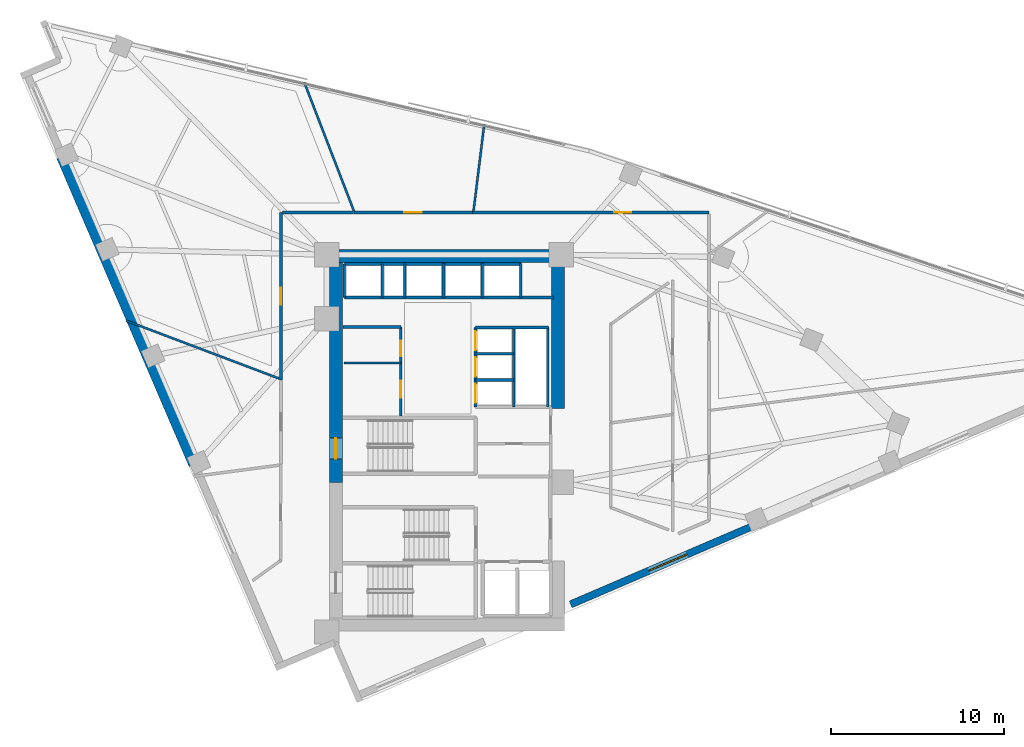
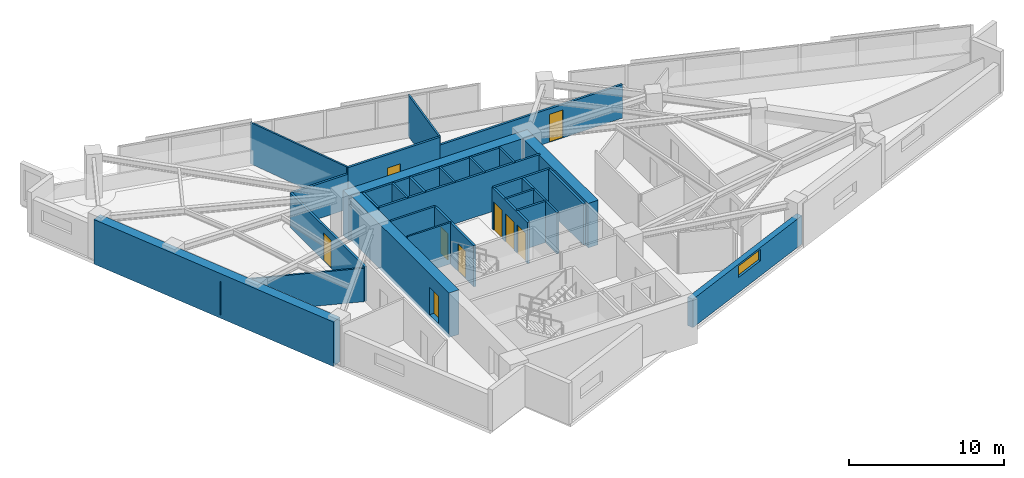
# One storey, part 10 of 14: 30 walls, 9 doors, 1 window, 10 openings.
"""IFC4 building model written with IfcOpenShell, lengths in metres."""

from ifc_helpers import new_model, si_unit, direction, frame, frame_2d, origin, place, context, subcontext, project, spatial, rectangle, extrude, material, layer, layer_set, type_object, element, fill, save


model = new_model("IFC4")

# Units and contexts
model_context = context("Model", 3, precision=1e-05, world=origin(), true_north=direction((0.0, 1.0)))
body_context = subcontext(model_context, "Body", "Model", "MODEL_VIEW")
ifc_project = project(units=[si_unit("LENGTHUNIT", "METRE"), si_unit("AREAUNIT", "SQUARE_METRE"), si_unit("VOLUMEUNIT", "CUBIC_METRE"), si_unit("PLANEANGLEUNIT", "RADIAN"), si_unit("MASSUNIT", "GRAM", prefix="KILO")], contexts=[model_context])

# Site, building, storey
site_placement = place(None, origin())
site = spatial("IfcSite", under=ifc_project, at=site_placement, CompositionType="ELEMENT")
building_placement = place(site_placement, origin())
building = spatial("IfcBuilding", under=site, at=building_placement, Name="Narakoshi Arena Tower", CompositionType="ELEMENT")
storey_placement = place(building_placement, frame((0.0, 0.0, 189.659912109375)))
storey = spatial("IfcBuildingStorey", under=building, at=storey_placement, Name="L51", CompositionType="ELEMENT", Elevation=189.659912109375)

# Wall, opening, door
ifc_material_1 = material(Name="Concrete C50/60", Category="concrete")
ifc_layer_1 = layer(ifc_material_1, 0.75)
ifc_layer_set_1 = layer_set([ifc_layer_1], Name="Concrete C50/60")
wall_type_1 = type_object("IfcWallType", Name="WL-CORE-750", PredefinedType="SHEAR", material=ifc_layer_set_1)
wall_1_placement = place(storey_placement, frame((72.52490234375, 43.35009765625, -0.260009765625), z_axis=(0.0, 0.0, 1.0), x_axis=(0.0, 1.0, 0.0)))
wall_1 = element("IfcWall", 1, at=wall_1_placement, inside=storey, type_object=wall_type_1, Name="L51 Main Core Shear Wall CW-MN-W", PredefinedType="SHEAR", context=body_context, shape_type="SweptSolid", body=[
    extrude(rectangle(XDim=12.699951171875, YDim=0.75, at=frame_2d((6.35009765625, 0.0))), origin(), (0.0, 0.0, 1.0), 3.52001953125),
])
opening_1_placement = place(wall_1_placement, frame((1.35009765625, 0.0, 0.260009765625)))
opening_1 = element("IfcOpeningElement", 2, at=opening_1_placement, cuts=wall_1, Name="Opening D-03", PredefinedType="OPENING", context=body_context, shape_type="SweptSolid", body=[
    extrude(rectangle(XDim=1.199951171875, YDim=2.199951171875, at=frame_2d((0.60009765625, 1.10009765625))), frame((0.0, 0.385009765625, 0.0), z_axis=(0.0, -1.0, 0.0), x_axis=(1.0, 0.0, 0.0)), (0.0, 0.0, 1.0), 0.77001953125),
])
ifc_material_2 = material(Name="Painted galvanized steel", Category="steel")
door_type_1 = type_object("IfcDoorType", Name="DR-STR-1200", OperationType="NOTDEFINED", PredefinedType="USERDEFINED", material=ifc_material_2)
door_1_placement = place(opening_1_placement, frame((1.199951171875, 0.0, 0.0), z_axis=(0.0, 0.0, 1.0), x_axis=(-1.0, 0.0, 0.0)))
door_1 = element("IfcDoor", 3, at=door_1_placement, inside=storey, type_object=door_type_1, Name="DR-L51-006", ObjectType="EXITDOOR", OperationType="SINGLE_SWING_LEFT", OverallHeight=2.199951171875, OverallWidth=1.199951171875, PredefinedType="USERDEFINED", context=body_context, shape_type="SweptSolid", body=[
    extrude(rectangle(XDim=1.199951171875, YDim=2.199951171875, at=frame_2d((0.60009765625, 1.10009765625))), frame((0.0, 0.02490234375, 0.0), z_axis=(0.0, -1.0, 0.0), x_axis=(1.0, 0.0, 0.0)), (0.0, 0.0, 1.0), 0.050048828125),
])
fill(opening_1, door_1)

# Walls
wall_2_placement = place(storey_placement, frame((72.0, 56.425048828125, -0.260009765625), z_axis=(0.0, 0.0, 1.0), x_axis=(1.0, 0.0, 0.0)))
element("IfcWall", 4, at=wall_2_placement, inside=storey, type_object=wall_type_1, Name="L51 Main Core Shear Wall CW-MN-N", PredefinedType="SHEAR", context=body_context, shape_type="SweptSolid", body=[
    extrude(rectangle(XDim=13.75, YDim=0.75, at=frame_2d((6.875, 0.0))), origin(), (0.0, 0.0, 1.0), 3.52001953125),
])
wall_3_placement = place(storey_placement, frame((85.375, 47.60009765625, -0.260009765625), z_axis=(0.0, 0.0, 1.0), x_axis=(0.0, 1.0, 0.0)))
element("IfcWall", 5, at=wall_3_placement, inside=storey, type_object=wall_type_1, Name="L51 Main Core Shear Wall CW-MN-E", PredefinedType="SHEAR", context=body_context, shape_type="SweptSolid", body=[
    extrude(rectangle(XDim=8.449951171875, YDim=0.75, at=frame_2d((4.22509765625, 0.0))), origin(), (0.0, 0.0, 1.0), 3.52001953125),
])

# Wall, opening, door
ifc_material_3 = material(Name="Gypsum plasterboard fire-rated partition")
ifc_layer_2 = layer(ifc_material_3, 0.1650390625)
ifc_layer_set_2 = layer_set([ifc_layer_2], Name="Gypsum plasterboard fire-rated partition")
wall_type_2 = type_object("IfcWallType", Name="WL-CORR-165", PredefinedType="PARTITIONING", material=ifc_layer_set_2)
wall_4_placement = place(storey_placement, frame((94.09619140625, 58.93701171875, 0.0), z_axis=(0.0, 0.0, 1.0), x_axis=(-1.0, 0.0, 0.0)))
wall_4 = element("IfcWall", 6, at=wall_4_placement, inside=storey, type_object=wall_type_2, Name="L51 Corridor Partition 06-1", PredefinedType="PARTITIONING", context=body_context, shape_type="SweptSolid", body=[
    extrude(rectangle(XDim=13.658203125, YDim=0.1650390625, at=frame_2d((6.8291015625, 0.0))), origin(), (0.0, 0.0, 1.0), 2.64501953125),
])
opening_2_placement = place(wall_4_placement, frame((4.490478515625, 0.0, 0.0)))
opening_2 = element("IfcOpeningElement", 7, at=opening_2_placement, cuts=wall_4, Name="Opening D-06", PredefinedType="OPENING", context=body_context, shape_type="SweptSolid", body=[
    extrude(rectangle(XDim=1.0, YDim=2.199951171875, at=frame_2d((0.5, 1.10009765625))), frame((0.0, 0.092529296875, 0.0), z_axis=(0.0, -1.0, 0.0), x_axis=(1.0, 0.0, 0.0)), (0.0, 0.0, 1.0), 0.18505859375),
])
ifc_material_4 = material(Name="Stained oak solid-core timber", Category="wood")
door_type_2 = type_object("IfcDoorType", Name="DR-OFF-1000", OperationType="NOTDEFINED", PredefinedType="DOOR", material=ifc_material_4)
door_2_placement = place(opening_2_placement, frame((1.0, 0.0, 0.0), z_axis=(0.0, 0.0, 1.0), x_axis=(-1.0, 0.0, 0.0)))
door_2 = element("IfcDoor", 8, at=door_2_placement, inside=storey, type_object=door_type_2, Name="DR-L51-019", OperationType="SINGLE_SWING_RIGHT", OverallHeight=2.199951171875, OverallWidth=1.0, PredefinedType="DOOR", context=body_context, shape_type="SweptSolid", body=[
    extrude(rectangle(XDim=1.0, YDim=2.199951171875, at=frame_2d((0.5, 1.10009765625))), frame((0.0, 0.02490234375, 0.0), z_axis=(0.0, -1.0, 0.0), x_axis=(1.0, 0.0, 0.0)), (0.0, 0.0, 1.0), 0.050048828125),
])
fill(opening_2, door_2)

wall_5_placement = place(storey_placement, frame((80.413818359375, 58.93701171875, 0.0), z_axis=(0.0, 0.0, 1.0), x_axis=(-1.0, 0.0, 0.0)))
wall_5 = element("IfcWall", 9, at=wall_5_placement, inside=storey, type_object=wall_type_2, Name="L51 Corridor Partition 07-1", PredefinedType="PARTITIONING", context=body_context, shape_type="SweptSolid", body=[
    extrude(rectangle(XDim=6.841064453125, YDim=0.1650390625, at=frame_2d((3.42041015625, 0.0))), origin(), (0.0, 0.0, 1.0), 3.260009765625),
])
opening_3_placement = place(wall_5_placement, frame((2.92041015625, 0.0, 0.0)))
opening_3 = element("IfcOpeningElement", 10, at=opening_3_placement, cuts=wall_5, Name="Opening D-06", PredefinedType="OPENING", context=body_context, shape_type="SweptSolid", body=[
    extrude(rectangle(XDim=1.0, YDim=2.199951171875, at=frame_2d((0.5, 1.10009765625))), frame((0.0, 0.092529296875, 0.0), z_axis=(0.0, -1.0, 0.0), x_axis=(1.0, 0.0, 0.0)), (0.0, 0.0, 1.0), 0.18505859375),
])
door_3_placement = place(opening_3_placement, frame((1.0, 0.0, 0.0), z_axis=(0.0, 0.0, 1.0), x_axis=(-1.0, 0.0, 0.0)))
door_3 = element("IfcDoor", 11, at=door_3_placement, inside=storey, type_object=door_type_2, Name="DR-L51-020", OperationType="SINGLE_SWING_LEFT", OverallHeight=2.199951171875, OverallWidth=1.0, PredefinedType="DOOR", context=body_context, shape_type="SweptSolid", body=[
    extrude(rectangle(XDim=1.0, YDim=2.199951171875, at=frame_2d((0.5, 1.10009765625))), frame((0.0, 0.02490234375, 0.0), z_axis=(0.0, -1.0, 0.0), x_axis=(1.0, 0.0, 0.0)), (0.0, 0.0, 1.0), 0.050048828125),
])
fill(opening_3, door_3)

wall_6_placement = place(storey_placement, frame((69.353759765625, 58.93701171875, 0.0), z_axis=(0.0, 0.0, 1.0), x_axis=(0.0, -1.0, 0.0)))
wall_6 = element("IfcWall", 12, at=wall_6_placement, inside=storey, type_object=wall_type_2, Name="L51 Corridor Partition 08-1", PredefinedType="PARTITIONING", context=body_context, shape_type="SweptSolid", body=[
    extrude(rectangle(XDim=9.669677734375, YDim=0.1650390625, at=frame_2d((4.8349609375, 0.0))), origin(), (0.0, 0.0, 1.0), 2.7451171875),
])
opening_4_placement = place(wall_6_placement, frame((4.334716796875, 0.0, 0.0)))
opening_4 = element("IfcOpeningElement", 13, at=opening_4_placement, cuts=wall_6, Name="Opening D-06", PredefinedType="OPENING", context=body_context, shape_type="SweptSolid", body=[
    extrude(rectangle(XDim=1.0, YDim=2.199951171875, at=frame_2d((0.5, 1.10009765625))), frame((0.0, 0.092529296875, 0.0), z_axis=(0.0, -1.0, 0.0), x_axis=(1.0, 0.0, 0.0)), (0.0, 0.0, 1.0), 0.18505859375),
])
door_4_placement = place(opening_4_placement, frame((1.0, 0.0, 0.0), z_axis=(0.0, 0.0, 1.0), x_axis=(-1.0, 0.0, 0.0)))
door_4 = element("IfcDoor", 14, at=door_4_placement, inside=storey, type_object=door_type_2, Name="DR-L51-021", OperationType="SINGLE_SWING_RIGHT", OverallHeight=2.199951171875, OverallWidth=1.0, PredefinedType="DOOR", context=body_context, shape_type="SweptSolid", body=[
    extrude(rectangle(XDim=1.0, YDim=2.199951171875, at=frame_2d((0.5, 1.10009765625))), frame((0.0, 0.02490234375, 0.0), z_axis=(0.0, -1.0, 0.0), x_axis=(1.0, 0.0, 0.0)), (0.0, 0.0, 1.0), 0.050048828125),
])
fill(opening_4, door_4)

# Walls
wall_7_placement = place(storey_placement, frame((73.547119140625, 58.93701171875, 0.0), z_axis=(0.0, 0.0, 1.0), x_axis=(-1.0, 0.0, 0.0)))
element("IfcWall", 15, at=wall_7_placement, inside=storey, type_object=wall_type_2, Name="L51 Corridor Partition 08-2", PredefinedType="PARTITIONING", context=body_context, shape_type="SweptSolid", body=[
    extrude(rectangle(XDim=4.098876953125, YDim=0.1650390625, at=frame_2d((2.04931640625, 0.0))), origin(), (0.0, 0.0, 1.0), 2.7451171875),
])
ifc_material_5 = material(Name="Concrete C60/75", Category="concrete")
ifc_layer_3 = layer(ifc_material_5, 0.699951171875)
ifc_layer_set_3 = layer_set([ifc_layer_3], Name="Concrete C60/75")
wall_type_3 = type_object("IfcWallType", Name="WL-LEG-700", PredefinedType="SHEAR", material=ifc_layer_set_3)
wall_8_placement = place(storey_placement, frame((56.7275390625, 62.171875, -0.260009765625), z_axis=(0.0, 0.0, 1.0), x_axis=(0.394736752992, -0.918794261974, 0.0)))
element("IfcWall", 16, at=wall_8_placement, inside=storey, type_object=wall_type_3, Name="L51 Architectural Concrete Structural Wall LEGB-2", PredefinedType="SHEAR", context=body_context, shape_type="SweptSolid", body=[
    extrude(rectangle(XDim=19.3525390625, YDim=0.699951171875, at=frame_2d((9.67626953125, 0.0))), origin(), (0.0, 0.0, 1.0), 3.52001953125),
])
ifc_layer_4 = layer(ifc_material_3, 0.125)
ifc_layer_set_4 = layer_set([ifc_layer_4], Name="Gypsum plasterboard fire-rated partition")
wall_type_4 = type_object("IfcWallType", Name="WL-PART-125", PredefinedType="PARTITIONING", material=ifc_layer_set_4)
wall_9_placement = place(storey_placement, frame((73.0, 50.25, 0.0), z_axis=(0.0, 0.0, 1.0), x_axis=(1.0, 0.0, 0.0)))
element("IfcWall", 17, at=wall_9_placement, inside=storey, type_object=wall_type_4, Name="L51 Core Wall RCL-LR-D2", PredefinedType="PARTITIONING", context=body_context, shape_type="SweptSolid", body=[
    extrude(rectangle(XDim=3.280029296875, YDim=0.125, at=frame_2d((1.64013671875, 0.0))), origin(), (0.0, 0.0, 1.0), 3.260009765625),
])
wall_10_placement = place(storey_placement, frame((80.48583984375, 59.031494140625, 0.0), z_axis=(0.0, 0.0, 1.0), x_axis=(0.122622148953, 0.992453428926, 0.0)))
element("IfcWall", 18, at=wall_10_placement, inside=storey, type_object=wall_type_4, Name="L51 Inter-Room Partition 06-07", PredefinedType="PARTITIONING", context=body_context, shape_type="SweptSolid", body=[
    extrude(rectangle(XDim=5.063232421875, YDim=0.125, at=frame_2d((2.53173828125, 0.0))), origin(), (0.0, 0.0, 1.0), 3.260009765625),
])
wall_11_placement = place(storey_placement, frame((73.57275390625, 59.025634765625, 0.0), z_axis=(0.0, 0.0, 1.0), x_axis=(-0.359988342614, 0.932956801348, 0.0)))
element("IfcWall", 19, at=wall_11_placement, inside=storey, type_object=wall_type_4, Name="L51 Inter-Room Partition 07-08", PredefinedType="PARTITIONING", context=body_context, shape_type="SweptSolid", body=[
    extrude(rectangle(XDim=7.98974609375, YDim=0.125, at=frame_2d((3.994873046875, 0.0))), origin(), (0.0, 0.0, 1.0), 3.260009765625),
])
wall_12_placement = place(storey_placement, frame((69.25927734375, 49.341552734375, 0.0), z_axis=(0.0, 0.0, 1.0), x_axis=(-0.935370851694, 0.353668446149, 0.0)))
element("IfcWall", 20, at=wall_12_placement, inside=storey, type_object=wall_type_4, Name="L51 Inter-Room Partition 08-09", PredefinedType="PARTITIONING", context=body_context, shape_type="SweptSolid", body=[
    extrude(rectangle(XDim=9.4462890625, YDim=0.125, at=frame_2d((4.72314453125, 0.0))), origin(), (0.0, 0.0, 1.0), 2.64501953125),
])

# Wall, opening, window
ifc_material_6 = material(Name="Precast concrete C45/55", Category="concrete")
ifc_layer_5 = layer(ifc_material_6, 0.419921875)
ifc_layer_set_5 = layer_set([ifc_layer_5], Name="Precast concrete C45/55")
wall_type_5 = type_object("IfcWallType", Name="WL-POD-420", PredefinedType="SOLIDWALL", material=ifc_layer_set_5)
wall_13_placement = place(storey_placement, frame((86.10009765625, 36.296142578125, 0.0), z_axis=(0.0, 0.0, 1.0), x_axis=(0.918792412723, 0.394741057306, 0.0)))
wall_13 = element("IfcWall", 21, at=wall_13_placement, inside=storey, type_object=wall_type_5, Name="L51 Architectural Concrete Facade Wall LEGA-2", PredefinedType="SOLIDWALL", context=body_context, shape_type="SweptSolid", body=[
    extrude(rectangle(XDim=11.79443359375, YDim=0.419921875, at=frame_2d((5.897216796875, 0.0))), origin(), (0.0, 0.0, 1.0), 2.2451171875),
])
opening_5_placement = place(wall_13_placement, frame((4.910888671875, 0.0, 1.199951171875)))
opening_5 = element("IfcOpeningElement", 22, at=opening_5_placement, cuts=wall_13, Name="Opening WN-01", PredefinedType="OPENING", context=body_context, shape_type="SweptSolid", body=[
    extrude(rectangle(XDim=2.39990234375, YDim=0.89990234375, at=frame_2d((1.199951171875, 0.449951171875))), frame((0.0, 0.219970703125, 0.0), z_axis=(0.0, -1.0, 0.0), x_axis=(1.0, 0.0, 0.0)), (0.0, 0.0, 1.0), 0.43994140625),
])
ifc_material_7 = material(Name="Bronze-tinted low-E laminated glass", Category="glass")
window_type = type_object("IfcWindowType", Name="WIN-SLT-24x09", PartitioningType="SINGLE_PANEL", PredefinedType="WINDOW", material=ifc_material_7)
window_placement = place(opening_5_placement, origin())
window = element("IfcWindow", 23, at=window_placement, inside=storey, type_object=window_type, Name="L51 LEGA2 Horizontal Slot Window 1", OverallHeight=0.89990234375, OverallWidth=2.39990234375, PartitioningType="SINGLE_PANEL", PredefinedType="WINDOW", context=body_context, shape_type="SweptSolid", body=[
    extrude(rectangle(XDim=2.39990234375, YDim=0.89990234375, at=frame_2d((1.199951171875, 0.449951171875))), frame((0.0, 0.030029296875, 0.0), z_axis=(0.0, -1.0, 0.0), x_axis=(1.0, 0.0, 0.0)), (0.0, 0.0, 1.0), 0.06005859375),
])
fill(opening_5, window)

# Walls
ifc_material_8 = material(Name="Concrete C40/50", Category="concrete")
ifc_layer_6 = layer(ifc_material_8, 0.280029296875)
ifc_layer_set_6 = layer_set([ifc_layer_6], Name="Concrete C40/50")
wall_type_6 = type_object("IfcWallType", Name="WL-RISER-280", PredefinedType="PLUMBINGWALL", material=ifc_layer_set_6)
for number, where, z_axis, x_axis, name in (
    (24, (80.60009765625, 49.260009765625, 0.0), (0.0, 0.0, 1.0), (1.0, 0.0, 0.0), "L51 Core Wall MR-D1"),
    (25, (80.60009765625, 50.780029296875, 0.0), (0.0, 0.0, 1.0), (1.0, 0.0, 0.0), "L51 Core Wall MR-D2"),
):
    element("IfcWall", number, at=place(storey_placement, frame(where, z_axis=z_axis, x_axis=x_axis)), inside=storey, type_object=wall_type_6, Name=name, PredefinedType="PLUMBINGWALL", context=body_context, shape_type="SweptSolid", body=[
        extrude(rectangle(XDim=2.199951171875, YDim=0.14990234375, at=frame_2d((1.10009765625, 0.0))), origin(), (0.0, 0.0, 1.0), 3.260009765625),
    ])
wall_14_placement = place(storey_placement, frame((82.800048828125, 47.699951171875, 0.0), z_axis=(0.0, 0.0, 1.0), x_axis=(0.0, 1.0, 0.0)))
element("IfcWall", 26, at=wall_14_placement, inside=storey, type_object=wall_type_6, Name="L51 Core Wall MR-E", PredefinedType="PLUMBINGWALL", context=body_context, shape_type="SweptSolid", body=[
    extrude(rectangle(XDim=4.60009765625, YDim=0.14990234375, at=frame_2d((2.300048828125, 0.0))), origin(), (0.0, 0.0, 1.0), 3.260009765625),
])
for number, where, z_axis, x_axis, name in (
    (27, (73.02001953125, 54.02001953125, 0.0), (0.0, 0.0, 1.0), (0.0, 1.0, 0.0), "L51 Core Wall OBS-W"),
    (28, (75.219970703125, 54.02001953125, 0.0), (0.0, 0.0, 1.0), (0.0, 1.0, 0.0), "L51 Core Wall OBS-M"),
):
    element("IfcWall", number, at=place(storey_placement, frame(where, z_axis=z_axis, x_axis=x_axis)), inside=storey, type_object=wall_type_6, Name=name, PredefinedType="PLUMBINGWALL", context=body_context, shape_type="SweptSolid", body=[
        extrude(rectangle(XDim=1.93994140625, YDim=0.14990234375, at=frame_2d((0.969970703125, 0.0))), origin(), (0.0, 0.0, 1.0), 3.260009765625),
    ])
for number, where, z_axis, x_axis, name in (
    (29, (78.75, 54.02001953125, 0.0), (0.0, 0.0, 1.0), (0.0, 1.0, 0.0), "L51 Core Wall HR-D1"),
    (30, (81.0, 54.02001953125, 0.0), (0.0, 0.0, 1.0), (0.0, 1.0, 0.0), "L51 Core Wall HR-D2"),
):
    element("IfcWall", number, at=place(storey_placement, frame(where, z_axis=z_axis, x_axis=x_axis)), inside=storey, type_object=wall_type_6, Name=name, PredefinedType="PLUMBINGWALL", context=body_context, shape_type="SweptSolid", body=[
        extrude(rectangle(XDim=1.9599609375, YDim=0.14990234375, at=frame_2d((0.97998046875, 0.0))), origin(), (0.0, 0.0, 1.0), 3.260009765625),
    ])

# Wall, openings, doors
ifc_layer_7 = layer(ifc_material_1, 0.35009765625)
ifc_layer_set_7 = layer_set([ifc_layer_7], Name="Concrete C50/60")
wall_type_7 = type_object("IfcWallType", Name="WL-SHAFT-350", PredefinedType="SOLIDWALL", material=ifc_layer_set_7)
wall_15_placement = place(storey_placement, frame((76.280029296875, 47.179931640625, 0.0), z_axis=(0.0, 0.0, 1.0), x_axis=(0.0, 1.0, 0.0)))
wall_15 = element("IfcWall", 31, at=wall_15_placement, inside=storey, type_object=wall_type_7, Name="L51 Core Wall LR-E", PredefinedType="SOLIDWALL", context=body_context, shape_type="SweptSolid", body=[
    extrude(rectangle(XDim=5.14013671875, YDim=0.159912109375, at=frame_2d((2.570068359375, 0.0))), origin(), (0.0, 0.0, 1.0), 3.260009765625),
])
opening_6_placement = place(wall_15_placement, frame((1.050048828125, 0.0, 0.0)))
opening_6 = element("IfcOpeningElement", 32, at=opening_6_placement, cuts=wall_15, Name="Opening D-06", PredefinedType="OPENING", context=body_context, shape_type="SweptSolid", body=[
    extrude(rectangle(XDim=1.0, YDim=2.199951171875, at=frame_2d((0.5, 1.10009765625))), frame((0.0, 0.08984375, 0.0), z_axis=(0.0, -1.0, 0.0), x_axis=(1.0, 0.0, 0.0)), (0.0, 0.0, 1.0), 0.179931640625),
])
opening_7_placement = place(wall_15_placement, frame((3.449951171875, 0.0, 0.0)))
opening_7 = element("IfcOpeningElement", 33, at=opening_7_placement, cuts=wall_15, Name="Opening D-08", PredefinedType="OPENING", context=body_context, shape_type="SweptSolid", body=[
    extrude(rectangle(XDim=0.89990234375, YDim=2.10009765625, at=frame_2d((0.449951171875, 1.050048828125))), frame((0.0, 0.08984375, 0.0), z_axis=(0.0, -1.0, 0.0), x_axis=(1.0, 0.0, 0.0)), (0.0, 0.0, 1.0), 0.179931640625),
])
door_5_placement = place(opening_6_placement, frame((1.0, 0.0, 0.0), z_axis=(0.0, 0.0, 1.0), x_axis=(-1.0, 0.0, 0.0)))
door_5 = element("IfcDoor", 34, at=door_5_placement, inside=storey, type_object=door_type_2, Name="DR-L51-009", OperationType="SINGLE_SWING_RIGHT", OverallHeight=2.199951171875, OverallWidth=1.0, PredefinedType="DOOR", context=body_context, shape_type="SweptSolid", body=[
    extrude(rectangle(XDim=1.0, YDim=2.199951171875, at=frame_2d((0.5, 1.10009765625))), frame((0.0, 0.02490234375, 0.0), z_axis=(0.0, -1.0, 0.0), x_axis=(1.0, 0.0, 0.0)), (0.0, 0.0, 1.0), 0.050048828125),
])
fill(opening_6, door_5)
ifc_material_9 = material(Name="Moisture-resistant laminate timber", Category="wood")
door_type_3 = type_object("IfcDoorType", Name="DR-WC-900", OperationType="NOTDEFINED", PredefinedType="DOOR", material=ifc_material_9)
door_6_placement = place(opening_7_placement, frame((0.89990234375, 0.0, 0.0), z_axis=(0.0, 0.0, 1.0), x_axis=(-1.0, 0.0, 0.0)))
door_6 = element("IfcDoor", 35, at=door_6_placement, inside=storey, type_object=door_type_3, Name="DR-L51-010", OperationType="SINGLE_SWING_LEFT", OverallHeight=2.10009765625, OverallWidth=0.89990234375, PredefinedType="DOOR", context=body_context, shape_type="SweptSolid", body=[
    extrude(rectangle(XDim=0.89990234375, YDim=2.10009765625, at=frame_2d((0.449951171875, 1.050048828125))), frame((0.0, 0.02490234375, 0.0), z_axis=(0.0, -1.0, 0.0), x_axis=(1.0, 0.0, 0.0)), (0.0, 0.0, 1.0), 0.050048828125),
])
fill(opening_7, door_6)

# Wall
wall_16_placement = place(storey_placement, frame((72.949951171875, 52.320068359375, 0.0), z_axis=(0.0, 0.0, 1.0), x_axis=(1.0, 0.0, 0.0)))
element("IfcWall", 36, at=wall_16_placement, inside=storey, type_object=wall_type_7, Name="L51 Core Wall LR-N", PredefinedType="SOLIDWALL", context=body_context, shape_type="SweptSolid", body=[
    extrude(rectangle(XDim=3.330078125, YDim=0.14990234375, at=frame_2d((1.6650390625, 0.0))), origin(), (0.0, 0.0, 1.0), 3.260009765625),
])

# Wall, openings, doors
wall_17_placement = place(storey_placement, frame((80.60009765625, 47.699951171875, 0.0), z_axis=(0.0, 0.0, 1.0), x_axis=(0.0, 1.0, 0.0)))
wall_17 = element("IfcWall", 37, at=wall_17_placement, inside=storey, type_object=wall_type_7, Name="L51 Core Wall MR-W", PredefinedType="SOLIDWALL", context=body_context, shape_type="SweptSolid", body=[
    extrude(rectangle(XDim=4.60009765625, YDim=0.159912109375, at=frame_2d((2.300048828125, 0.0))), origin(), (0.0, 0.0, 1.0), 3.260009765625),
])
opening_8_placement = place(wall_17_placement, frame((0.239990234375, 0.0, 0.0)))
opening_8 = element("IfcOpeningElement", 38, at=opening_8_placement, cuts=wall_17, Name="Opening LD-01", PredefinedType="OPENING", context=body_context, shape_type="SweptSolid", body=[
    extrude(rectangle(XDim=1.10009765625, YDim=2.25, at=frame_2d((0.550048828125, 1.125))), frame((0.0, 0.08984375, 0.0), z_axis=(0.0, -1.0, 0.0), x_axis=(1.0, 0.0, 0.0)), (0.0, 0.0, 1.0), 0.179931640625),
])
opening_9_placement = place(wall_17_placement, frame((1.760009765625, 0.0, 0.0)))
opening_9 = element("IfcOpeningElement", 39, at=opening_9_placement, cuts=wall_17, Name="Opening LD-01", PredefinedType="OPENING", context=body_context, shape_type="SweptSolid", body=[
    extrude(rectangle(XDim=1.10009765625, YDim=2.25, at=frame_2d((0.550048828125, 1.125))), frame((0.0, 0.08984375, 0.0), z_axis=(0.0, -1.0, 0.0), x_axis=(1.0, 0.0, 0.0)), (0.0, 0.0, 1.0), 0.179931640625),
])
opening_10_placement = place(wall_17_placement, frame((3.280029296875, 0.0, 0.0)))
opening_10 = element("IfcOpeningElement", 40, at=opening_10_placement, cuts=wall_17, Name="Opening LD-01", PredefinedType="OPENING", context=body_context, shape_type="SweptSolid", body=[
    extrude(rectangle(XDim=1.10009765625, YDim=2.25, at=frame_2d((0.550048828125, 1.125))), frame((0.0, 0.08984375, 0.0), z_axis=(0.0, -1.0, 0.0), x_axis=(1.0, 0.0, 0.0)), (0.0, 0.0, 1.0), 0.179931640625),
])
ifc_material_10 = material(Name="Brushed bronze stainless steel", Category="steel")
door_type_4 = type_object("IfcDoorType", Name="DR-LFT-1100", OperationType="DOUBLE_DOOR_SLIDING", PredefinedType="DOOR", material=ifc_material_10)
door_7_placement = place(opening_8_placement, frame((1.10009765625, 0.0, 0.0), z_axis=(0.0, 0.0, 1.0), x_axis=(-1.0, 0.0, 0.0)))
door_7 = element("IfcDoor", 41, at=door_7_placement, inside=storey, type_object=door_type_4, Name="DR-L51-011", OperationType="DOUBLE_DOOR_SLIDING", OverallHeight=2.25, OverallWidth=1.10009765625, PredefinedType="DOOR", context=body_context, shape_type="SweptSolid", body=[
    extrude(rectangle(XDim=1.10009765625, YDim=2.25, at=frame_2d((0.550048828125, 1.125))), frame((0.0, 0.02490234375, 0.0), z_axis=(0.0, -1.0, 0.0), x_axis=(1.0, 0.0, 0.0)), (0.0, 0.0, 1.0), 0.050048828125),
])
fill(opening_8, door_7)
door_8_placement = place(opening_9_placement, frame((1.10009765625, 0.0, 0.0), z_axis=(0.0, 0.0, 1.0), x_axis=(-1.0, 0.0, 0.0)))
door_8 = element("IfcDoor", 42, at=door_8_placement, inside=storey, type_object=door_type_4, Name="DR-L51-012", OperationType="DOUBLE_DOOR_SLIDING", OverallHeight=2.25, OverallWidth=1.10009765625, PredefinedType="DOOR", context=body_context, shape_type="SweptSolid", body=[
    extrude(rectangle(XDim=1.10009765625, YDim=2.25, at=frame_2d((0.550048828125, 1.125))), frame((0.0, 0.02490234375, 0.0), z_axis=(0.0, -1.0, 0.0), x_axis=(1.0, 0.0, 0.0)), (0.0, 0.0, 1.0), 0.050048828125),
])
fill(opening_9, door_8)
door_9_placement = place(opening_10_placement, frame((1.10009765625, 0.0, 0.0), z_axis=(0.0, 0.0, 1.0), x_axis=(-1.0, 0.0, 0.0)))
door_9 = element("IfcDoor", 43, at=door_9_placement, inside=storey, type_object=door_type_4, Name="DR-L51-013", OperationType="DOUBLE_DOOR_SLIDING", OverallHeight=2.25, OverallWidth=1.10009765625, PredefinedType="DOOR", context=body_context, shape_type="SweptSolid", body=[
    extrude(rectangle(XDim=1.10009765625, YDim=2.25, at=frame_2d((0.550048828125, 1.125))), frame((0.0, 0.02490234375, 0.0), z_axis=(0.0, -1.0, 0.0), x_axis=(1.0, 0.0, 0.0)), (0.0, 0.0, 1.0), 0.050048828125),
])
fill(opening_10, door_9)

# Walls
wall_18_placement = place(storey_placement, frame((80.60009765625, 52.300048828125, 0.0), z_axis=(0.0, 0.0, 1.0), x_axis=(1.0, 0.0, 0.0)))
element("IfcWall", 44, at=wall_18_placement, inside=storey, type_object=wall_type_7, Name="L51 Core Wall MR-N", PredefinedType="SOLIDWALL", context=body_context, shape_type="SweptSolid", body=[
    extrude(rectangle(XDim=4.219970703125, YDim=0.159912109375, at=frame_2d((2.10986328125, 0.0))), origin(), (0.0, 0.0, 1.0), 3.260009765625),
])
wall_19_placement = place(storey_placement, frame((84.780029296875, 47.699951171875, 0.0), z_axis=(0.0, 0.0, 1.0), x_axis=(0.0, 1.0, 0.0)))
element("IfcWall", 45, at=wall_19_placement, inside=storey, type_object=wall_type_7, Name="L51 Core Wall MR-E2", PredefinedType="SOLIDWALL", context=body_context, shape_type="SweptSolid", body=[
    extrude(rectangle(XDim=4.60009765625, YDim=0.159912109375, at=frame_2d((2.300048828125, 0.0))), origin(), (0.0, 0.0, 1.0), 3.260009765625),
])
wall_20_placement = place(storey_placement, frame((73.02001953125, 54.02001953125, 0.0), z_axis=(0.0, 0.0, 1.0), x_axis=(1.0, 0.0, 0.0)))
element("IfcWall", 46, at=wall_20_placement, inside=storey, type_object=wall_type_7, Name="L51 Core Wall NSHF-S", PredefinedType="SOLIDWALL", context=body_context, shape_type="SweptSolid", body=[
    extrude(rectangle(XDim=12.080078125, YDim=0.159912109375, at=frame_2d((6.0400390625, 0.0))), origin(), (0.0, 0.0, 1.0), 3.260009765625),
])
wall_21_placement = place(storey_placement, frame((73.02001953125, 55.9599609375, 0.0), z_axis=(0.0, 0.0, 1.0), x_axis=(1.0, 0.0, 0.0)))
element("IfcWall", 47, at=wall_21_placement, inside=storey, type_object=wall_type_7, Name="L51 Core Wall OBS-N", PredefinedType="SOLIDWALL", context=body_context, shape_type="SweptSolid", body=[
    extrude(rectangle(XDim=3.5, YDim=0.14990234375, at=frame_2d((1.75, 0.0))), origin(), (0.0, 0.0, 1.0), 3.260009765625),
])
wall_22_placement = place(storey_placement, frame((76.52001953125, 54.02001953125, 0.0), z_axis=(0.0, 0.0, 1.0), x_axis=(0.0, 1.0, 0.0)))
element("IfcWall", 48, at=wall_22_placement, inside=storey, type_object=wall_type_7, Name="L51 Core Wall OBS-E", PredefinedType="SOLIDWALL", context=body_context, shape_type="SweptSolid", body=[
    extrude(rectangle(XDim=1.93994140625, YDim=0.14990234375, at=frame_2d((0.969970703125, 0.0))), origin(), (0.0, 0.0, 1.0), 3.260009765625),
])
wall_23_placement = place(storey_placement, frame((83.219970703125, 54.02001953125, 0.0), z_axis=(0.0, 0.0, 1.0), x_axis=(0.0, 1.0, 0.0)))
element("IfcWall", 49, at=wall_23_placement, inside=storey, type_object=wall_type_7, Name="L51 Core Wall HR-E", PredefinedType="SOLIDWALL", context=body_context, shape_type="SweptSolid", body=[
    extrude(rectangle(XDim=1.9599609375, YDim=0.14990234375, at=frame_2d((0.97998046875, 0.0))), origin(), (0.0, 0.0, 1.0), 3.260009765625),
])
wall_24_placement = place(storey_placement, frame((76.52001953125, 55.9599609375, 0.0), z_axis=(0.0, 0.0, 1.0), x_axis=(1.0, 0.0, 0.0)))
element("IfcWall", 50, at=wall_24_placement, inside=storey, type_object=wall_type_7, Name="L51 Core Wall HR-N", PredefinedType="SOLIDWALL", context=body_context, shape_type="SweptSolid", body=[
    extrude(rectangle(XDim=6.699951171875, YDim=0.14990234375, at=frame_2d((3.35009765625, 0.0))), origin(), (0.0, 0.0, 1.0), 3.260009765625),
])

save(model, "model.ifc")
